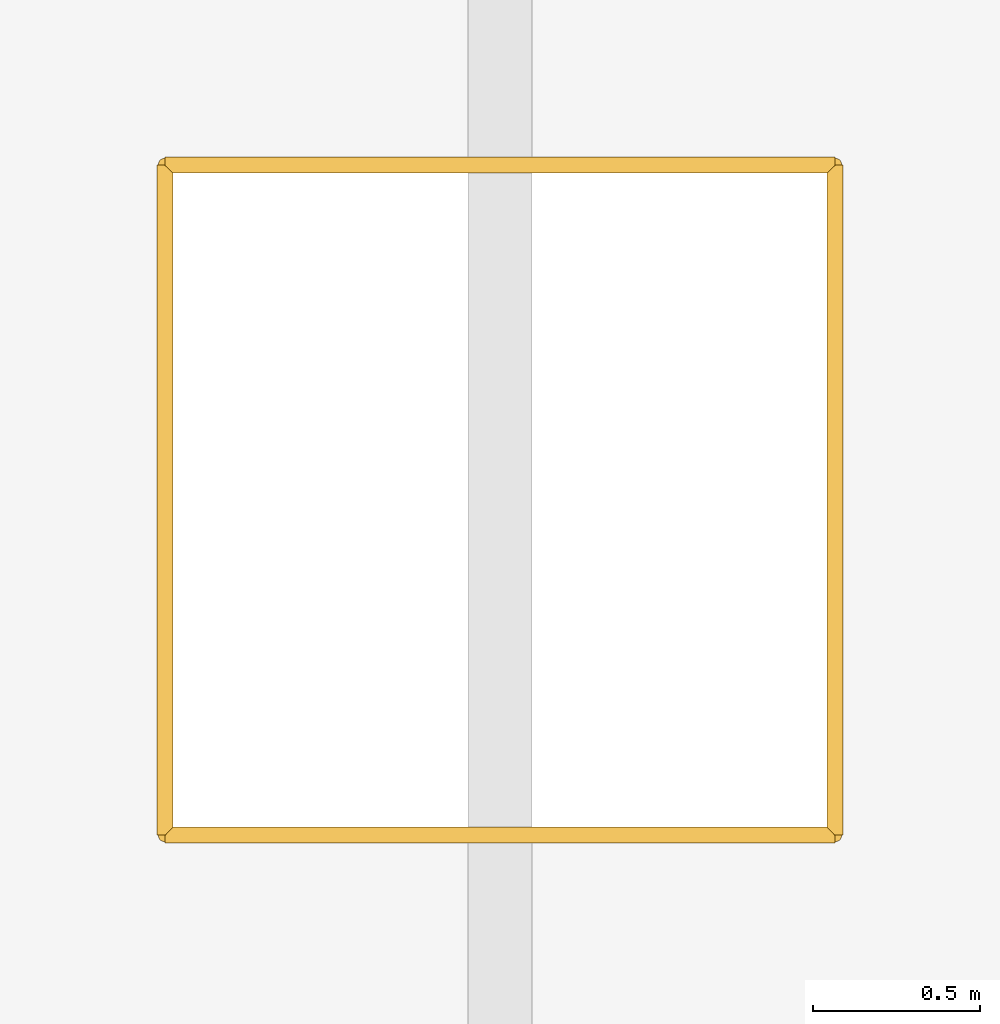
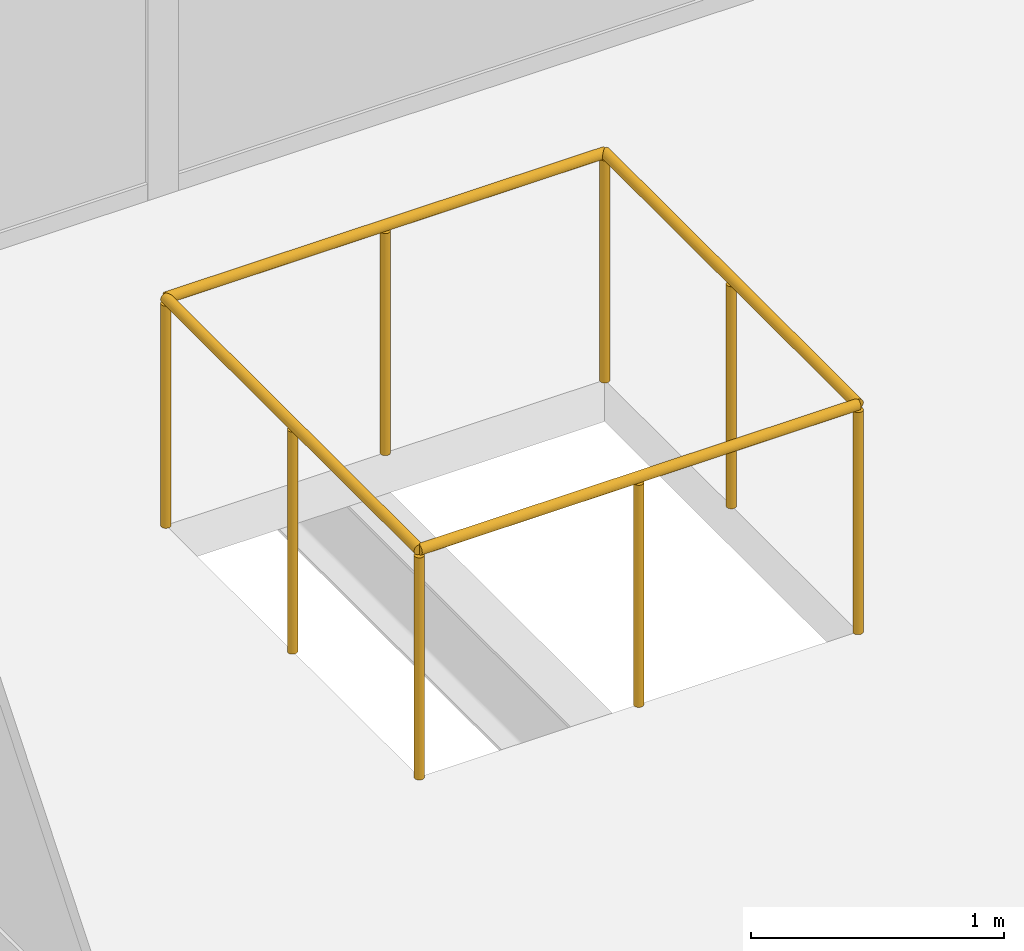
# One storey, part 67 of 69: 4 railings.
"""IFC4 building model written with IfcOpenShell, lengths in metres."""

from ifc_helpers import new_model, si_unit, direction, frame, origin, origin_2d, place, context, subcontext, project, spatial, circle, extrude, material, type_object, element, save


model = new_model("IFC4")

# Units and contexts
model_context = context("Model", 3, precision=1e-05, world=origin(), true_north=direction((0.0, 1.0)))
body_context = subcontext(model_context, "Body", "Model", "MODEL_VIEW")
ifc_project = project(units=[si_unit("LENGTHUNIT", "METRE"), si_unit("AREAUNIT", "SQUARE_METRE"), si_unit("VOLUMEUNIT", "CUBIC_METRE"), si_unit("PLANEANGLEUNIT", "RADIAN"), si_unit("MASSUNIT", "GRAM", prefix="KILO")], contexts=[model_context])

# Site, building, storey
site_placement = place(None, origin())
site = spatial("IfcSite", under=ifc_project, at=site_placement, CompositionType="ELEMENT")
building_placement = place(site_placement, origin())
building = spatial("IfcBuilding", under=site, at=building_placement, Name="Qamarlyn Nura Convention Centre", CompositionType="ELEMENT")
storey_placement = place(building_placement, frame((0.0, 0.0, 15.60009765625)))
storey = spatial("IfcBuildingStorey", under=building, at=storey_placement, Name="L03", CompositionType="ELEMENT", Elevation=15.60009765625)

# Railings
ifc_material = material(Name="Marine Grade 316 stainless steel", Category="steel")
railing_type = type_object("IfcRailingType", Name="GRD-VOID-112", PredefinedType="BALUSTRADE", material=ifc_material)
railing_1_placement = place(storey_placement, frame((148.0, 115.0, 0.0)))
element("IfcRailing", 1, at=railing_1_placement, inside=storey, type_object=railing_type, Name="L03 slab edge balustrade guard 075", PredefinedType="BALUSTRADE", context=body_context, shape_type="SweptSolid", body=[
    extrude(circle(Radius=0.02392578125, at=origin_2d()), frame((0.0, 0.0, 1.09619140625), z_axis=(-1.0, 0.0, 0.0), x_axis=(0.0, -1.0, 0.0)), (0.0, 0.0, 1.0), 2.0),
    extrude(circle(Radius=0.02099609375, at=origin_2d()), origin(), (0.0, 0.0, 1.0), 1.070068359375),
    extrude(circle(Radius=0.02099609375, at=origin_2d()), frame((-1.0, 0.0, 0.0)), (0.0, 0.0, 1.0), 1.070068359375),
    extrude(circle(Radius=0.02099609375, at=origin_2d()), frame((-2.0, 0.0, 0.0)), (0.0, 0.0, 1.0), 1.070068359375),
])
railing_2_placement = place(storey_placement, frame((146.0, 115.0, 0.0)))
element("IfcRailing", 2, at=railing_2_placement, inside=storey, type_object=railing_type, Name="L03 slab edge balustrade guard 076", PredefinedType="BALUSTRADE", context=body_context, shape_type="SweptSolid", body=[
    extrude(circle(Radius=0.02392578125, at=origin_2d()), frame((0.0, 0.0, 1.09619140625), z_axis=(0.0, -1.0, 0.0), x_axis=(1.0, 0.0, 0.0)), (0.0, 0.0, 1.0), 2.0),
    extrude(circle(Radius=0.02099609375, at=origin_2d()), origin(), (0.0, 0.0, 1.0), 1.070068359375),
    extrude(circle(Radius=0.02099609375, at=origin_2d()), frame((0.0, -1.0, 0.0)), (0.0, 0.0, 1.0), 1.070068359375),
    extrude(circle(Radius=0.02099609375, at=origin_2d()), frame((0.0, -2.0, 0.0)), (0.0, 0.0, 1.0), 1.070068359375),
])
railing_3_placement = place(storey_placement, frame((146.0, 113.0, 0.0)))
element("IfcRailing", 3, at=railing_3_placement, inside=storey, type_object=railing_type, Name="L03 slab edge balustrade guard 077", PredefinedType="BALUSTRADE", context=body_context, shape_type="SweptSolid", body=[
    extrude(circle(Radius=0.02392578125, at=origin_2d()), frame((0.0, 0.0, 1.09619140625), z_axis=(1.0, 0.0, 0.0), x_axis=(0.0, 1.0, 0.0)), (0.0, 0.0, 1.0), 2.0),
    extrude(circle(Radius=0.02099609375, at=origin_2d()), origin(), (0.0, 0.0, 1.0), 1.070068359375),
    extrude(circle(Radius=0.02099609375, at=origin_2d()), frame((1.0, 0.0, 0.0)), (0.0, 0.0, 1.0), 1.070068359375),
    extrude(circle(Radius=0.02099609375, at=origin_2d()), frame((2.0, 0.0, 0.0)), (0.0, 0.0, 1.0), 1.070068359375),
])
railing_4_placement = place(storey_placement, frame((148.0, 113.0, 0.0)))
element("IfcRailing", 4, at=railing_4_placement, inside=storey, type_object=railing_type, Name="L03 slab edge balustrade guard 078", PredefinedType="BALUSTRADE", context=body_context, shape_type="SweptSolid", body=[
    extrude(circle(Radius=0.02392578125, at=origin_2d()), frame((0.0, 0.0, 1.09619140625), z_axis=(0.0, 1.0, 0.0), x_axis=(-1.0, 0.0, 0.0)), (0.0, 0.0, 1.0), 2.0),
    extrude(circle(Radius=0.02099609375, at=origin_2d()), origin(), (0.0, 0.0, 1.0), 1.070068359375),
    extrude(circle(Radius=0.02099609375, at=origin_2d()), frame((0.0, 1.0, 0.0)), (0.0, 0.0, 1.0), 1.070068359375),
    extrude(circle(Radius=0.02099609375, at=origin_2d()), frame((0.0, 2.0, 0.0)), (0.0, 0.0, 1.0), 1.070068359375),
])

save(model, "model.ifc")
